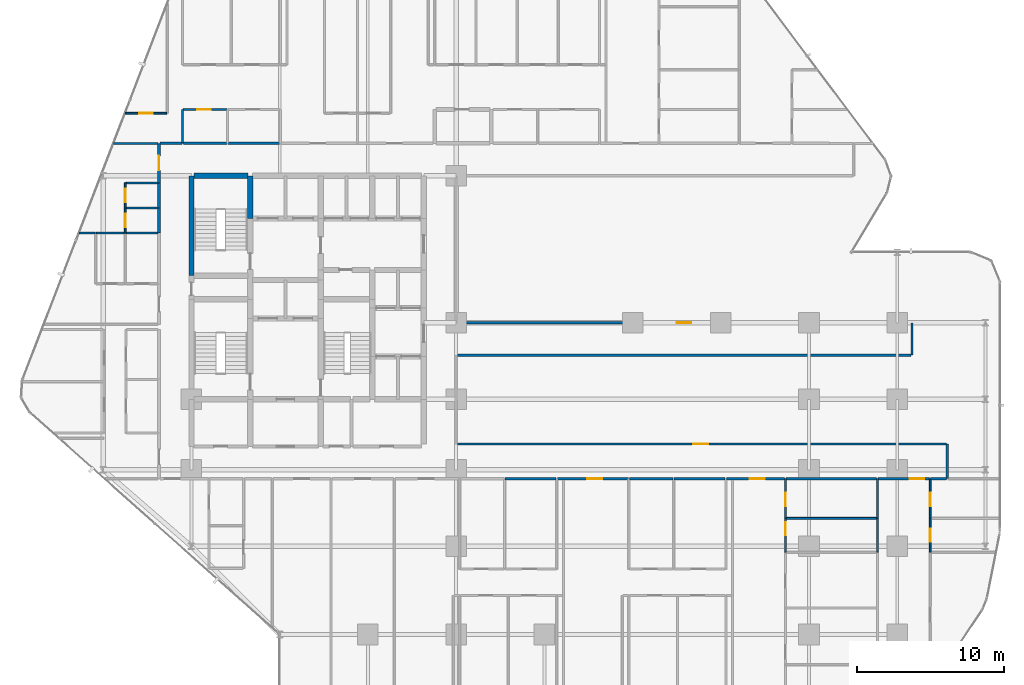
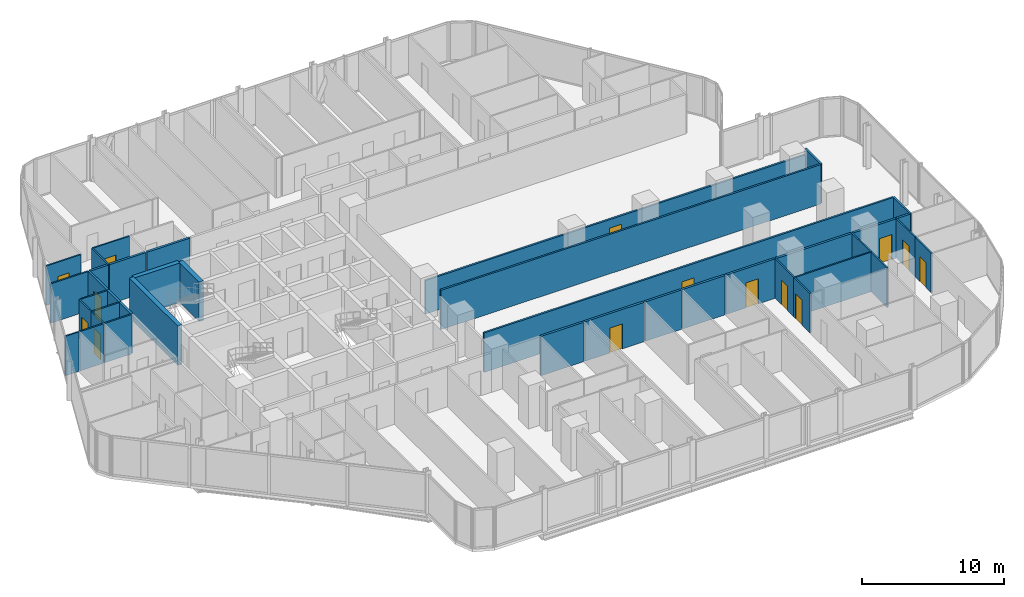
# One storey, part 29 of 34: 40 walls, 14 doors, 14 openings.
"""IFC4 building model written with IfcOpenShell, lengths in metres."""

from ifc_helpers import new_model, si_unit, direction, frame, frame_2d, origin, place, context, subcontext, project, spatial, rectangle, extrude, material, layer, layer_set, type_object, element, fill, save


model = new_model("IFC4")

# Units and contexts
model_context = context("Model", 3, precision=1e-05, world=origin(), true_north=direction((0.0, 1.0)))
body_context = subcontext(model_context, "Body", "Model", "MODEL_VIEW")
ifc_project = project(units=[si_unit("LENGTHUNIT", "METRE"), si_unit("AREAUNIT", "SQUARE_METRE"), si_unit("VOLUMEUNIT", "CUBIC_METRE"), si_unit("PLANEANGLEUNIT", "RADIAN"), si_unit("MASSUNIT", "GRAM", prefix="KILO")], contexts=[model_context])

# Site, building, storey
site_placement = place(None, origin())
site = spatial("IfcSite", under=ifc_project, at=site_placement, CompositionType="ELEMENT")
building_placement = place(site_placement, origin())
building = spatial("IfcBuilding", under=site, at=building_placement, Name="Keshet Zoharim Tower", CompositionType="ELEMENT")
storey_placement = place(building_placement, frame((0.0, 0.0, 46.199951171875)))
storey = spatial("IfcBuildingStorey", under=building, at=storey_placement, Name="L10", CompositionType="ELEMENT", Elevation=46.199951171875)

# Walls
ifc_material_1 = material(Name="Gypsum Plasterboard", Category="gypsum")
ifc_layer_1 = layer(ifc_material_1, 0.14990234375)
ifc_layer_set_1 = layer_set([ifc_layer_1], Name="Gypsum Plasterboard")
wall_type_1 = type_object("IfcWallType", Name="WL-CLIN-150", PredefinedType="STANDARD", material=ifc_layer_set_1)
wall_1_placement = place(storey_placement, frame((64.0, 25.699951171875, 0.0), z_axis=(0.0, 0.0, 1.0), x_axis=(0.0, 1.0, 0.0)))
element("IfcWall", 1, at=wall_1_placement, inside=storey, type_object=wall_type_1, Name="L10 Interior Wall 113", PredefinedType="STANDARD", context=body_context, shape_type="SweptSolid", body=[
    extrude(rectangle(XDim=2.199951171875, YDim=0.14990234375, at=frame_2d((1.10009765625, 0.0))), origin(), (0.0, 0.0, 1.0), 3.385009765625),
])
wall_2_placement = place(storey_placement, frame((66.39990234375, 17.31005859375, 0.0), z_axis=(0.0, 0.0, 1.0), x_axis=(0.0, 1.0, 0.0)))
element("IfcWall", 2, at=wall_2_placement, inside=storey, type_object=wall_type_1, Name="L10 Interior Wall 117", PredefinedType="STANDARD", context=body_context, shape_type="SweptSolid", body=[
    extrude(rectangle(XDim=2.33984375, YDim=0.14990234375, at=frame_2d((1.169921875, 0.0))), origin(), (0.0, 0.0, 1.0), 3.385009765625),
])

# Wall, opening, door
wall_3_placement = place(storey_placement, frame((33.070068359375, 19.64990234375, 0.0), z_axis=(0.0, 0.0, 1.0), x_axis=(1.0, 0.0, 0.0)))
wall_3 = element("IfcWall", 3, at=wall_3_placement, inside=storey, type_object=wall_type_1, Name="L10 Interior Wall 157", PredefinedType="STANDARD", context=body_context, shape_type="SweptSolid", body=[
    extrude(rectangle(XDim=33.27001953125, YDim=0.14990234375, at=frame_2d((16.635009765625, 0.0))), origin(), (0.0, 0.0, 1.0), 3.385009765625),
])
opening_1_placement = place(wall_3_placement, frame((16.06494140625, 0.0, 0.0)))
opening_1 = element("IfcOpeningElement", 4, at=opening_1_placement, cuts=wall_3, Name="Opening D-F310", PredefinedType="OPENING", context=body_context, shape_type="SweptSolid", body=[
    extrude(rectangle(XDim=1.0, YDim=2.14990234375, at=frame_2d((0.5, 1.074951171875))), frame((0.0, 0.0849609375, 0.0), z_axis=(0.0, -1.0, 0.0), x_axis=(1.0, 0.0, 0.0)), (0.0, 0.0, 1.0), 0.169921875),
])
ifc_material_2 = material(Name="Hardwood Timber", Category="wood")
door_type_1 = type_object("IfcDoorType", Name="DR-FD30-100", OperationType="NOTDEFINED", PredefinedType="DOOR", material=ifc_material_2)
door_1_placement = place(opening_1_placement, origin())
door_1 = element("IfcDoor", 5, at=door_1_placement, inside=storey, type_object=door_type_1, Name="L10 North East Residents Services Suite Door 1", OperationType="SINGLE_SWING_LEFT", OverallHeight=2.14990234375, OverallWidth=1.0, PredefinedType="DOOR", context=body_context, shape_type="SweptSolid", body=[
    extrude(rectangle(XDim=1.0, YDim=2.14990234375, at=frame_2d((0.5, 1.074951171875))), frame((0.0, 0.02490234375, 0.0), z_axis=(0.0, -1.0, 0.0), x_axis=(1.0, 0.0, 0.0)), (0.0, 0.0, 1.0), 0.050048828125),
])
fill(opening_1, door_1)

# Wall
wall_4_placement = place(storey_placement, frame((33.070068359375, 25.699951171875, 0.0), z_axis=(0.0, 0.0, 1.0), x_axis=(1.0, 0.0, 0.0)))
element("IfcWall", 6, at=wall_4_placement, inside=storey, type_object=wall_type_1, Name="L10 Interior Wall 169", PredefinedType="STANDARD", context=body_context, shape_type="SweptSolid", body=[
    extrude(rectangle(XDim=30.869873046875, YDim=0.14990234375, at=frame_2d((15.43505859375, 0.0))), origin(), (0.0, 0.0, 1.0), 3.385009765625),
])

# Wall, opening, door
wall_5_placement = place(storey_placement, frame((33.070068359375, 27.89990234375, 0.0), z_axis=(0.0, 0.0, 1.0), x_axis=(1.0, 0.0, 0.0)))
wall_5 = element("IfcWall", 7, at=wall_5_placement, inside=storey, type_object=wall_type_1, Name="L10 Interior Wall 174", PredefinedType="STANDARD", context=body_context, shape_type="SweptSolid", body=[
    extrude(rectangle(XDim=30.869873046875, YDim=0.14990234375, at=frame_2d((15.43505859375, 0.0))), origin(), (0.0, 0.0, 1.0), 2.885009765625),
])
opening_2_placement = place(wall_5_placement, frame((14.93505859375, 0.0, 0.0)))
opening_2 = element("IfcOpeningElement", 8, at=opening_2_placement, cuts=wall_5, Name="Opening D-F310", PredefinedType="OPENING", context=body_context, shape_type="SweptSolid", body=[
    extrude(rectangle(XDim=1.0, YDim=2.14990234375, at=frame_2d((0.5, 1.074951171875))), frame((0.0, 0.0849609375, 0.0), z_axis=(0.0, -1.0, 0.0), x_axis=(1.0, 0.0, 0.0)), (0.0, 0.0, 1.0), 0.169921875),
])
door_2_placement = place(opening_2_placement, origin())
door_2 = element("IfcDoor", 9, at=door_2_placement, inside=storey, type_object=door_type_1, Name="L10 North East Residents Services Suite Door 2", OperationType="SINGLE_SWING_LEFT", OverallHeight=2.14990234375, OverallWidth=1.0, PredefinedType="DOOR", context=body_context, shape_type="SweptSolid", body=[
    extrude(rectangle(XDim=1.0, YDim=2.14990234375, at=frame_2d((0.5, 1.074951171875))), frame((0.0, 0.02490234375, 0.0), z_axis=(0.0, -1.0, 0.0), x_axis=(1.0, 0.0, 0.0)), (0.0, 0.0, 1.0), 0.050048828125),
])
fill(opening_2, door_2)

# Walls
ifc_material_3 = material(Name="Concrete C60/75", Category="concrete")
ifc_layer_2 = layer(ifc_material_3, 0.35009765625)
ifc_layer_set_2 = layer_set([ifc_layer_2], Name="Concrete C60/75")
wall_type_2 = type_object("IfcWallType", Name="WL-CORE-350", PredefinedType="SHEAR", material=ifc_layer_set_2)
wall_6_placement = place(storey_placement, frame((15.0, 31.10009765625, 0.0), z_axis=(0.0, 0.0, 1.0), x_axis=(0.0, 1.0, 0.0)))
element("IfcWall", 10, at=wall_6_placement, inside=storey, type_object=wall_type_2, Name="L10 Core Shear Wall 022", PredefinedType="SHEAR", context=body_context, shape_type="SweptSolid", body=[
    extrude(rectangle(XDim=6.7998046875, YDim=0.35009765625, at=frame_2d((3.39990234375, 0.0))), origin(), (0.0, 0.0, 1.0), 3.385009765625),
])
wall_7_placement = place(storey_placement, frame((19.0, 35.0, 0.0), z_axis=(0.0, 0.0, 1.0), x_axis=(0.0, 1.0, 0.0)))
element("IfcWall", 11, at=wall_7_placement, inside=storey, type_object=wall_type_2, Name="L10 Core Shear Wall 033", PredefinedType="SHEAR", context=body_context, shape_type="SweptSolid", body=[
    extrude(rectangle(XDim=2.89990234375, YDim=0.35009765625, at=frame_2d((1.449951171875, 0.0))), origin(), (0.0, 0.0, 1.0), 3.385009765625),
])
wall_8_placement = place(storey_placement, frame((15.159912109375, 37.89990234375, 0.0), z_axis=(0.0, 0.0, 1.0), x_axis=(1.0, 0.0, 0.0)))
element("IfcWall", 12, at=wall_8_placement, inside=storey, type_object=wall_type_2, Name="L10 Core Shear Wall 191", PredefinedType="SHEAR", context=body_context, shape_type="SweptSolid", body=[
    extrude(rectangle(XDim=3.68017578125, YDim=0.35009765625, at=frame_2d((1.840087890625, 0.0))), origin(), (0.0, 0.0, 1.0), 3.385009765625),
])
ifc_layer_3 = layer(ifc_material_1, 0.179931640625)
ifc_layer_set_3 = layer_set([ifc_layer_3], Name="Gypsum Plasterboard")
wall_type_3 = type_object("IfcWallType", Name="WL-CORR-180", PredefinedType="STANDARD", material=ifc_layer_set_3)
for number, where, z_axis, x_axis, name in (
    (13, (12.800048828125, 34.0, 0.0), (0.0, 0.0, 1.0), (0.0, 1.0, 0.0), "L10 Interior Wall 013"),
    (14, (12.800048828125, 35.7080078125, 0.0), (0.0, 0.0, 1.0), (0.0, 1.0, 0.0), "L10 Interior Wall 014"),
):
    element("IfcWall", number, at=place(storey_placement, frame(where, z_axis=z_axis, x_axis=x_axis)), inside=storey, type_object=wall_type_3, Name=name, PredefinedType="STANDARD", context=body_context, shape_type="SweptSolid", body=[
        extrude(rectangle(XDim=1.7080078125, YDim=0.179931640625, at=frame_2d((0.85400390625, 0.0))), origin(), (0.0, 0.0, 1.0), 3.385009765625),
    ])

# Wall, opening, door
wall_9_placement = place(storey_placement, frame((12.800048828125, 37.416015625, 0.0), z_axis=(0.0, 0.0, 1.0), x_axis=(0.0, 1.0, 0.0)))
wall_9 = element("IfcWall", 15, at=wall_9_placement, inside=storey, type_object=wall_type_3, Name="L10 Interior Wall 015", PredefinedType="STANDARD", context=body_context, shape_type="SweptSolid", body=[
    extrude(rectangle(XDim=2.68408203125, YDim=0.179931640625, at=frame_2d((1.342041015625, 0.0))), origin(), (0.0, 0.0, 1.0), 3.385009765625),
])
opening_3_placement = place(wall_9_placement, frame((0.842041015625, 0.0, 0.0)))
opening_3 = element("IfcOpeningElement", 16, at=opening_3_placement, cuts=wall_9, Name="Opening D-F310", PredefinedType="OPENING", context=body_context, shape_type="SweptSolid", body=[
    extrude(rectangle(XDim=1.0, YDim=2.14990234375, at=frame_2d((0.5, 1.074951171875))), frame((0.0, 0.10009765625, 0.0), z_axis=(0.0, -1.0, 0.0), x_axis=(1.0, 0.0, 0.0)), (0.0, 0.0, 1.0), 0.199951171875),
])
door_3_placement = place(opening_3_placement, origin())
door_3 = element("IfcDoor", 17, at=door_3_placement, inside=storey, type_object=door_type_1, Name="Apartment 1012 Entrance Door", OperationType="SINGLE_SWING_RIGHT", OverallHeight=2.14990234375, OverallWidth=1.0, PredefinedType="DOOR", context=body_context, shape_type="SweptSolid", body=[
    extrude(rectangle(XDim=1.0, YDim=2.14990234375, at=frame_2d((0.5, 1.074951171875))), frame((0.0, 0.02490234375, 0.0), z_axis=(0.0, -1.0, 0.0), x_axis=(1.0, 0.0, 0.0)), (0.0, 0.0, 1.0), 0.050048828125),
])
fill(opening_3, door_3)

# Wall
wall_10_placement = place(storey_placement, frame((36.3369140625, 17.300048828125, 0.0), z_axis=(0.0, 0.0, 1.0), x_axis=(1.0, 0.0, 0.0)))
element("IfcWall", 18, at=wall_10_placement, inside=storey, type_object=wall_type_3, Name="L10 Interior Wall 144", PredefinedType="STANDARD", context=body_context, shape_type="SweptSolid", body=[
    extrude(rectangle(XDim=3.4580078125, YDim=0.179931640625, at=frame_2d((1.72900390625, 0.0))), origin(), (0.0, 0.0, 1.0), 3.385009765625),
])

# Wall, opening, door
wall_11_placement = place(storey_placement, frame((39.885009765625, 17.300048828125, 0.0), z_axis=(0.0, 0.0, 1.0), x_axis=(1.0, 0.0, 0.0)))
wall_11 = element("IfcWall", 19, at=wall_11_placement, inside=storey, type_object=wall_type_3, Name="L10 Interior Wall 145", PredefinedType="STANDARD", context=body_context, shape_type="SweptSolid", body=[
    extrude(rectangle(XDim=4.830078125, YDim=0.179931640625, at=frame_2d((2.4150390625, 0.0))), origin(), (0.0, 0.0, 1.0), 3.385009765625),
])
opening_4_placement = place(wall_11_placement, frame((2.04296875, 0.0, 0.0)))
opening_4 = element("IfcOpeningElement", 20, at=opening_4_placement, cuts=wall_11, Name="Opening D-F310", PredefinedType="OPENING", context=body_context, shape_type="SweptSolid", body=[
    extrude(rectangle(XDim=1.0, YDim=2.14990234375, at=frame_2d((0.5, 1.074951171875))), frame((0.0, 0.10009765625, 0.0), z_axis=(0.0, -1.0, 0.0), x_axis=(1.0, 0.0, 0.0)), (0.0, 0.0, 1.0), 0.199951171875),
])
door_4_placement = place(opening_4_placement, origin())
door_4 = element("IfcDoor", 21, at=door_4_placement, inside=storey, type_object=door_type_1, Name="Apartment 1003 Entrance Door", OperationType="SINGLE_SWING_RIGHT", OverallHeight=2.14990234375, OverallWidth=1.0, PredefinedType="DOOR", context=body_context, shape_type="SweptSolid", body=[
    extrude(rectangle(XDim=1.0, YDim=2.14990234375, at=frame_2d((0.5, 1.074951171875))), frame((0.0, 0.02490234375, 0.0), z_axis=(0.0, -1.0, 0.0), x_axis=(1.0, 0.0, 0.0)), (0.0, 0.0, 1.0), 0.050048828125),
])
fill(opening_4, door_4)

# Walls
wall_12_placement = place(storey_placement, frame((44.804931640625, 17.300048828125, 0.0), z_axis=(0.0, 0.0, 1.0), x_axis=(1.0, 0.0, 0.0)))
element("IfcWall", 22, at=wall_12_placement, inside=storey, type_object=wall_type_3, Name="L10 Interior Wall 146", PredefinedType="STANDARD", context=body_context, shape_type="SweptSolid", body=[
    extrude(rectangle(XDim=2.93212890625, YDim=0.179931640625, at=frame_2d((1.466064453125, 0.0))), origin(), (0.0, 0.0, 1.0), 3.385009765625),
])
wall_13_placement = place(storey_placement, frame((47.826904296875, 17.300048828125, 0.0), z_axis=(0.0, 0.0, 1.0), x_axis=(1.0, 0.0, 0.0)))
element("IfcWall", 23, at=wall_13_placement, inside=storey, type_object=wall_type_3, Name="L10 Interior Wall 147", PredefinedType="STANDARD", context=body_context, shape_type="SweptSolid", body=[
    extrude(rectangle(XDim=3.4580078125, YDim=0.179931640625, at=frame_2d((1.72900390625, 0.0))), origin(), (0.0, 0.0, 1.0), 3.385009765625),
])

# Wall, opening, door
wall_14_placement = place(storey_placement, frame((51.375, 17.300048828125, 0.0), z_axis=(0.0, 0.0, 1.0), x_axis=(1.0, 0.0, 0.0)))
wall_14 = element("IfcWall", 24, at=wall_14_placement, inside=storey, type_object=wall_type_3, Name="L10 Interior Wall 148", PredefinedType="STANDARD", context=body_context, shape_type="SweptSolid", body=[
    extrude(rectangle(XDim=3.9599609375, YDim=0.179931640625, at=frame_2d((1.97998046875, 0.0))), origin(), (0.0, 0.0, 1.0), 3.385009765625),
])
opening_5_placement = place(wall_14_placement, frame((1.60888671875, 0.0, 0.0)))
opening_5 = element("IfcOpeningElement", 25, at=opening_5_placement, cuts=wall_14, Name="Opening D-F310", PredefinedType="OPENING", context=body_context, shape_type="SweptSolid", body=[
    extrude(rectangle(XDim=1.0, YDim=2.14990234375, at=frame_2d((0.5, 1.074951171875))), frame((0.0, 0.10009765625, 0.0), z_axis=(0.0, -1.0, 0.0), x_axis=(1.0, 0.0, 0.0)), (0.0, 0.0, 1.0), 0.199951171875),
])
door_5_placement = place(opening_5_placement, origin())
door_5 = element("IfcDoor", 26, at=door_5_placement, inside=storey, type_object=door_type_1, Name="Apartment 1004 Entrance Door", OperationType="SINGLE_SWING_LEFT", OverallHeight=2.14990234375, OverallWidth=1.0, PredefinedType="DOOR", context=body_context, shape_type="SweptSolid", body=[
    extrude(rectangle(XDim=1.0, YDim=2.14990234375, at=frame_2d((0.5, 1.074951171875))), frame((0.0, 0.02490234375, 0.0), z_axis=(0.0, -1.0, 0.0), x_axis=(1.0, 0.0, 0.0)), (0.0, 0.0, 1.0), 0.050048828125),
])
fill(opening_5, door_5)

# Wall
wall_15_placement = place(storey_placement, frame((55.425048828125, 17.300048828125, 0.0), z_axis=(0.0, 0.0, 1.0), x_axis=(1.0, 0.0, 0.0)))
element("IfcWall", 27, at=wall_15_placement, inside=storey, type_object=wall_type_3, Name="L10 Interior Wall 149", PredefinedType="STANDARD", context=body_context, shape_type="SweptSolid", body=[
    extrude(rectangle(XDim=6.159912109375, YDim=0.179931640625, at=frame_2d((3.080078125, 0.0))), origin(), (0.0, 0.0, 1.0), 3.385009765625),
])

# Wall, opening, door
wall_16_placement = place(storey_placement, frame((61.675048828125, 17.300048828125, 0.0), z_axis=(0.0, 0.0, 1.0), x_axis=(1.0, 0.0, 0.0)))
wall_16 = element("IfcWall", 28, at=wall_16_placement, inside=storey, type_object=wall_type_3, Name="L10 Interior Wall 150", PredefinedType="STANDARD", context=body_context, shape_type="SweptSolid", body=[
    extrude(rectangle(XDim=3.510009765625, YDim=0.179931640625, at=frame_2d((1.7548828125, 0.0))), origin(), (0.0, 0.0, 1.0), 3.385009765625),
])
opening_6_placement = place(wall_16_placement, frame((2.1650390625, 0.0, 0.0)))
opening_6 = element("IfcOpeningElement", 29, at=opening_6_placement, cuts=wall_16, Name="Opening D-F310", PredefinedType="OPENING", context=body_context, shape_type="SweptSolid", body=[
    extrude(rectangle(XDim=1.0, YDim=2.14990234375, at=frame_2d((0.5, 1.074951171875))), frame((0.0, 0.10009765625, 0.0), z_axis=(0.0, -1.0, 0.0), x_axis=(1.0, 0.0, 0.0)), (0.0, 0.0, 1.0), 0.199951171875),
])
door_6_placement = place(opening_6_placement, origin())
door_6 = element("IfcDoor", 30, at=door_6_placement, inside=storey, type_object=door_type_1, Name="Apartment 1005 Entrance Door", OperationType="SINGLE_SWING_RIGHT", OverallHeight=2.14990234375, OverallWidth=1.0, PredefinedType="DOOR", context=body_context, shape_type="SweptSolid", body=[
    extrude(rectangle(XDim=1.0, YDim=2.14990234375, at=frame_2d((0.5, 1.074951171875))), frame((0.0, 0.02490234375, 0.0), z_axis=(0.0, -1.0, 0.0), x_axis=(1.0, 0.0, 0.0)), (0.0, 0.0, 1.0), 0.050048828125),
])
fill(opening_6, door_6)

# Walls
wall_17_placement = place(storey_placement, frame((65.27490234375, 17.300048828125, 0.0), z_axis=(0.0, 0.0, 1.0), x_axis=(1.0, 0.0, 0.0)))
element("IfcWall", 31, at=wall_17_placement, inside=storey, type_object=wall_type_3, Name="L10 Interior Wall 151", PredefinedType="STANDARD", context=body_context, shape_type="SweptSolid", body=[
    extrude(rectangle(XDim=1.065185546875, YDim=0.179931640625, at=frame_2d((0.53271484375, 0.0))), origin(), (0.0, 0.0, 1.0), 3.385009765625),
])
wall_18_placement = place(storey_placement, frame((12.875, 40.10009765625, 0.0), z_axis=(0.0, 0.0, 1.0), x_axis=(1.0, 0.0, 0.0)))
element("IfcWall", 32, at=wall_18_placement, inside=storey, type_object=wall_type_3, Name="L10 Interior Wall 195", PredefinedType="STANDARD", context=body_context, shape_type="SweptSolid", body=[
    extrude(rectangle(XDim=1.47998046875, YDim=0.179931640625, at=frame_2d((0.739990234375, 0.0))), origin(), (0.0, 0.0, 1.0), 3.385009765625),
])
wall_19_placement = place(storey_placement, frame((14.445068359375, 40.10009765625, 0.0), z_axis=(0.0, 0.0, 1.0), x_axis=(1.0, 0.0, 0.0)))
element("IfcWall", 33, at=wall_19_placement, inside=storey, type_object=wall_type_3, Name="L10 Interior Wall 196", PredefinedType="STANDARD", context=body_context, shape_type="SweptSolid", body=[
    extrude(rectangle(XDim=2.9599609375, YDim=0.179931640625, at=frame_2d((1.47998046875, 0.0))), origin(), (0.0, 0.0, 1.0), 3.385009765625),
])
wall_20_placement = place(storey_placement, frame((17.4951171875, 40.10009765625, 0.0), z_axis=(0.0, 0.0, 1.0), x_axis=(1.0, 0.0, 0.0)))
element("IfcWall", 34, at=wall_20_placement, inside=storey, type_object=wall_type_3, Name="L10 Interior Wall 197", PredefinedType="STANDARD", context=body_context, shape_type="SweptSolid", body=[
    extrude(rectangle(XDim=3.489990234375, YDim=0.179931640625, at=frame_2d((1.7451171875, 0.0))), origin(), (0.0, 0.0, 1.0), 3.385009765625),
])

# Wall, opening, door
ifc_layer_4 = layer(ifc_material_1, 0.1201171875)
ifc_layer_set_4 = layer_set([ifc_layer_4], Name="Gypsum Plasterboard")
wall_type_4 = type_object("IfcWallType", Name="WL-PART-120", PredefinedType="PARTITIONING", material=ifc_layer_set_4)
wall_21_placement = place(storey_placement, frame((10.5, 34.0, 0.0), z_axis=(0.0, 0.0, 1.0), x_axis=(0.0, 1.0, 0.0)))
wall_21 = element("IfcWall", 35, at=wall_21_placement, inside=storey, type_object=wall_type_4, Name="L10 Interior Wall 004", PredefinedType="PARTITIONING", context=body_context, shape_type="SweptSolid", body=[
    extrude(rectangle(XDim=1.7080078125, YDim=0.1201171875, at=frame_2d((0.85400390625, 0.0))), origin(), (0.0, 0.0, 1.0), 3.385009765625),
])
opening_7_placement = place(wall_21_placement, frame((0.404052734375, 0.0, 0.0)))
opening_7 = element("IfcOpeningElement", 36, at=opening_7_placement, cuts=wall_21, Name="Opening D-IN90", PredefinedType="OPENING", context=body_context, shape_type="SweptSolid", body=[
    extrude(rectangle(XDim=0.89990234375, YDim=2.14990234375, at=frame_2d((0.449951171875, 1.074951171875))), frame((0.0, 0.070068359375, 0.0), z_axis=(0.0, -1.0, 0.0), x_axis=(1.0, 0.0, 0.0)), (0.0, 0.0, 1.0), 0.14013671875),
])
door_type_2 = type_object("IfcDoorType", Name="DR-INT-090", OperationType="NOTDEFINED", PredefinedType="DOOR", material=ifc_material_2)
door_7_placement = place(opening_7_placement, origin())
door_7 = element("IfcDoor", 37, at=door_7_placement, inside=storey, type_object=door_type_2, Name="Apartment 1012 Kitchenette Door", OperationType="SINGLE_SWING_RIGHT", OverallHeight=2.14990234375, OverallWidth=0.89990234375, PredefinedType="DOOR", context=body_context, shape_type="SweptSolid", body=[
    extrude(rectangle(XDim=0.89990234375, YDim=2.14990234375, at=frame_2d((0.449951171875, 1.074951171875))), frame((0.0, 0.02490234375, 0.0), z_axis=(0.0, -1.0, 0.0), x_axis=(1.0, 0.0, 0.0)), (0.0, 0.0, 1.0), 0.050048828125),
])
fill(opening_7, door_7)

# Wall
wall_22_placement = place(storey_placement, frame((14.39990234375, 40.10009765625, 0.0), z_axis=(0.0, 0.0, 1.0), x_axis=(0.0, 1.0, 0.0)))
element("IfcWall", 38, at=wall_22_placement, inside=storey, type_object=wall_type_4, Name="L10 Interior Wall 017", PredefinedType="PARTITIONING", context=body_context, shape_type="SweptSolid", body=[
    extrude(rectangle(XDim=2.2998046875, YDim=0.1201171875, at=frame_2d((1.14990234375, 0.0))), origin(), (0.0, 0.0, 1.0), 3.385009765625),
])

# Wall, opening, door
wall_23_placement = place(storey_placement, frame((55.39990234375, 12.300048828125, 0.0), z_axis=(0.0, 0.0, 1.0), x_axis=(0.0, 1.0, 0.0)))
wall_23 = element("IfcWall", 39, at=wall_23_placement, inside=storey, type_object=wall_type_4, Name="L10 Interior Wall 105", PredefinedType="PARTITIONING", context=body_context, shape_type="SweptSolid", body=[
    extrude(rectangle(XDim=2.300048828125, YDim=0.1201171875, at=frame_2d((1.14990234375, 0.0))), origin(), (0.0, 0.0, 1.0), 3.385009765625),
])
opening_8_placement = place(wall_23_placement, frame((1.14208984375, 0.0, 0.0)))
opening_8 = element("IfcOpeningElement", 40, at=opening_8_placement, cuts=wall_23, Name="Opening D-IN90", PredefinedType="OPENING", context=body_context, shape_type="SweptSolid", body=[
    extrude(rectangle(XDim=0.89990234375, YDim=2.14990234375, at=frame_2d((0.449951171875, 1.074951171875))), frame((0.0, 0.070068359375, 0.0), z_axis=(0.0, -1.0, 0.0), x_axis=(1.0, 0.0, 0.0)), (0.0, 0.0, 1.0), 0.14013671875),
])
door_8_placement = place(opening_8_placement, origin())
door_8 = element("IfcDoor", 41, at=door_8_placement, inside=storey, type_object=door_type_2, Name="Apartment 1004 Kitchen Door", OperationType="SINGLE_SWING_LEFT", OverallHeight=2.14990234375, OverallWidth=0.89990234375, PredefinedType="DOOR", context=body_context, shape_type="SweptSolid", body=[
    extrude(rectangle(XDim=0.89990234375, YDim=2.14990234375, at=frame_2d((0.449951171875, 1.074951171875))), frame((0.0, 0.02490234375, 0.0), z_axis=(0.0, -1.0, 0.0), x_axis=(1.0, 0.0, 0.0)), (0.0, 0.0, 1.0), 0.050048828125),
])
fill(opening_8, door_8)

# Wall
wall_24_placement = place(storey_placement, frame((61.64990234375, 12.300048828125, 0.0), z_axis=(0.0, 0.0, 1.0), x_axis=(0.0, 1.0, 0.0)))
element("IfcWall", 42, at=wall_24_placement, inside=storey, type_object=wall_type_4, Name="L10 Interior Wall 111", PredefinedType="PARTITIONING", context=body_context, shape_type="SweptSolid", body=[
    extrude(rectangle(XDim=2.300048828125, YDim=0.1201171875, at=frame_2d((1.14990234375, 0.0))), origin(), (0.0, 0.0, 1.0), 3.385009765625),
])

# Wall, opening, door
wall_25_placement = place(storey_placement, frame((65.25, 12.300048828125, 0.0), z_axis=(0.0, 0.0, 1.0), x_axis=(0.0, 1.0, 0.0)))
wall_25 = element("IfcWall", 43, at=wall_25_placement, inside=storey, type_object=wall_type_4, Name="L10 Interior Wall 115", PredefinedType="PARTITIONING", context=body_context, shape_type="SweptSolid", body=[
    extrude(rectangle(XDim=2.300048828125, YDim=0.1201171875, at=frame_2d((1.14990234375, 0.0))), origin(), (0.0, 0.0, 1.0), 3.385009765625),
])
opening_9_placement = place(wall_25_placement, frame((0.699951171875, 0.0, 0.0)))
opening_9 = element("IfcOpeningElement", 44, at=opening_9_placement, cuts=wall_25, Name="Opening D-IN90", PredefinedType="OPENING", context=body_context, shape_type="SweptSolid", body=[
    extrude(rectangle(XDim=0.89990234375, YDim=2.14990234375, at=frame_2d((0.449951171875, 1.074951171875))), frame((0.0, 0.070068359375, 0.0), z_axis=(0.0, -1.0, 0.0), x_axis=(1.0, 0.0, 0.0)), (0.0, 0.0, 1.0), 0.14013671875),
])
door_9_placement = place(opening_9_placement, origin())
door_9 = element("IfcDoor", 45, at=door_9_placement, inside=storey, type_object=door_type_2, Name="Apartment 1005 Kitchen Door", OperationType="SINGLE_SWING_RIGHT", OverallHeight=2.14990234375, OverallWidth=0.89990234375, PredefinedType="DOOR", context=body_context, shape_type="SweptSolid", body=[
    extrude(rectangle(XDim=0.89990234375, YDim=2.14990234375, at=frame_2d((0.449951171875, 1.074951171875))), frame((0.0, 0.02490234375, 0.0), z_axis=(0.0, -1.0, 0.0), x_axis=(1.0, 0.0, 0.0)), (0.0, 0.0, 1.0), 0.050048828125),
])
fill(opening_9, door_9)

# Walls
wall_26_placement = place(storey_placement, frame((7.35595703125, 34.0, 0.0), z_axis=(0.0, 0.0, 1.0), x_axis=(1.0, 0.0, 0.0)))
element("IfcWall", 46, at=wall_26_placement, inside=storey, type_object=wall_type_4, Name="L10 Interior Wall 185", PredefinedType="PARTITIONING", context=body_context, shape_type="SweptSolid", body=[
    extrude(rectangle(XDim=1.09912109375, YDim=0.1201171875, at=frame_2d((0.549560546875, 0.0))), origin(), (0.0, 0.0, 1.0), 3.385009765625),
])
wall_27_placement = place(storey_placement, frame((8.544921875, 34.0, 0.0), z_axis=(0.0, 0.0, 1.0), x_axis=(1.0, 0.0, 0.0)))
element("IfcWall", 47, at=wall_27_placement, inside=storey, type_object=wall_type_4, Name="L10 Interior Wall 186", PredefinedType="PARTITIONING", context=body_context, shape_type="SweptSolid", body=[
    extrude(rectangle(XDim=1.88818359375, YDim=0.1201171875, at=frame_2d((0.944091796875, 0.0))), origin(), (0.0, 0.0, 1.0), 3.385009765625),
])
wall_28_placement = place(storey_placement, frame((9.701904296875, 40.10009765625, 0.0), z_axis=(0.0, 0.0, 1.0), x_axis=(1.0, 0.0, 0.0)))
element("IfcWall", 48, at=wall_28_placement, inside=storey, type_object=wall_type_4, Name="L10 Interior Wall 194", PredefinedType="PARTITIONING", context=body_context, shape_type="SweptSolid", body=[
    extrude(rectangle(XDim=3.023193359375, YDim=0.1201171875, at=frame_2d((1.51171875, 0.0))), origin(), (0.0, 0.0, 1.0), 3.385009765625),
])

# Wall, opening, door
wall_29_placement = place(storey_placement, frame((10.490966796875, 42.14990234375, 0.0), z_axis=(0.0, 0.0, 1.0), x_axis=(1.0, 0.0, 0.0)))
wall_29 = element("IfcWall", 49, at=wall_29_placement, inside=storey, type_object=wall_type_4, Name="L10 Interior Wall 208", PredefinedType="PARTITIONING", context=body_context, shape_type="SweptSolid", body=[
    extrude(rectangle(XDim=2.828125, YDim=0.1201171875, at=frame_2d((1.4140625, 0.0))), origin(), (0.0, 0.0, 1.0), 3.385009765625),
])
opening_10_placement = place(wall_29_placement, frame((0.962890625, 0.0, 0.0)))
opening_10 = element("IfcOpeningElement", 50, at=opening_10_placement, cuts=wall_29, Name="Opening D-IN90", PredefinedType="OPENING", context=body_context, shape_type="SweptSolid", body=[
    extrude(rectangle(XDim=0.89990234375, YDim=2.14990234375, at=frame_2d((0.449951171875, 1.074951171875))), frame((0.0, 0.070068359375, 0.0), z_axis=(0.0, -1.0, 0.0), x_axis=(1.0, 0.0, 0.0)), (0.0, 0.0, 1.0), 0.14013671875),
])
door_10_placement = place(opening_10_placement, origin())
door_10 = element("IfcDoor", 51, at=door_10_placement, inside=storey, type_object=door_type_2, Name="Apartment 1006 Home Study Room Door", OperationType="SINGLE_SWING_LEFT", OverallHeight=2.14990234375, OverallWidth=0.89990234375, PredefinedType="DOOR", context=body_context, shape_type="SweptSolid", body=[
    extrude(rectangle(XDim=0.89990234375, YDim=2.14990234375, at=frame_2d((0.449951171875, 1.074951171875))), frame((0.0, 0.02490234375, 0.0), z_axis=(0.0, -1.0, 0.0), x_axis=(1.0, 0.0, 0.0)), (0.0, 0.0, 1.0), 0.050048828125),
])
fill(opening_10, door_10)

wall_30_placement = place(storey_placement, frame((14.445068359375, 42.39990234375, 0.0), z_axis=(0.0, 0.0, 1.0), x_axis=(1.0, 0.0, 0.0)))
wall_30 = element("IfcWall", 52, at=wall_30_placement, inside=storey, type_object=wall_type_4, Name="L10 Interior Wall 210", PredefinedType="PARTITIONING", context=body_context, shape_type="SweptSolid", body=[
    extrude(rectangle(XDim=2.9599609375, YDim=0.1201171875, at=frame_2d((1.47998046875, 0.0))), origin(), (0.0, 0.0, 1.0), 3.385009765625),
])
opening_11_placement = place(wall_30_placement, frame((0.9560546875, 0.0, 0.0)))
opening_11 = element("IfcOpeningElement", 53, at=opening_11_placement, cuts=wall_30, Name="Opening D-IN90", PredefinedType="OPENING", context=body_context, shape_type="SweptSolid", body=[
    extrude(rectangle(XDim=0.89990234375, YDim=2.14990234375, at=frame_2d((0.449951171875, 1.074951171875))), frame((0.0, 0.070068359375, 0.0), z_axis=(0.0, -1.0, 0.0), x_axis=(1.0, 0.0, 0.0)), (0.0, 0.0, 1.0), 0.14013671875),
])
door_11_placement = place(opening_11_placement, origin())
door_11 = element("IfcDoor", 54, at=door_11_placement, inside=storey, type_object=door_type_2, Name="Apartment 1006 Kitchen Door", OperationType="SINGLE_SWING_RIGHT", OverallHeight=2.14990234375, OverallWidth=0.89990234375, PredefinedType="DOOR", context=body_context, shape_type="SweptSolid", body=[
    extrude(rectangle(XDim=0.89990234375, YDim=2.14990234375, at=frame_2d((0.449951171875, 1.074951171875))), frame((0.0, 0.02490234375, 0.0), z_axis=(0.0, -1.0, 0.0), x_axis=(1.0, 0.0, 0.0)), (0.0, 0.0, 1.0), 0.050048828125),
])
fill(opening_11, door_11)

ifc_layer_5 = layer(ifc_material_1, 0.1201171875)
ifc_layer_set_5 = layer_set([ifc_layer_5], Name="Gypsum Plasterboard")
wall_type_5 = type_object("IfcWallType", Name="WL-WET-120", PredefinedType="PARTITIONING", material=ifc_layer_set_5)
wall_31_placement = place(storey_placement, frame((10.5, 35.7080078125, 0.0), z_axis=(0.0, 0.0, 1.0), x_axis=(0.0, 1.0, 0.0)))
wall_31 = element("IfcWall", 55, at=wall_31_placement, inside=storey, type_object=wall_type_5, Name="L10 Interior Wall 005", PredefinedType="PARTITIONING", context=body_context, shape_type="SweptSolid", body=[
    extrude(rectangle(XDim=1.7080078125, YDim=0.1201171875, at=frame_2d((0.85400390625, 0.0))), origin(), (0.0, 0.0, 1.0), 3.385009765625),
])
opening_12_placement = place(wall_31_placement, frame((0.404052734375, 0.0, 0.0)))
opening_12 = element("IfcOpeningElement", 56, at=opening_12_placement, cuts=wall_31, Name="Opening D-WT90", PredefinedType="OPENING", context=body_context, shape_type="SweptSolid", body=[
    extrude(rectangle(XDim=0.89990234375, YDim=2.10009765625, at=frame_2d((0.449951171875, 1.050048828125))), frame((0.0, 0.070068359375, 0.0), z_axis=(0.0, -1.0, 0.0), x_axis=(1.0, 0.0, 0.0)), (0.0, 0.0, 1.0), 0.14013671875),
])
door_type_3 = type_object("IfcDoorType", Name="DR-WET-090", OperationType="NOTDEFINED", PredefinedType="DOOR", material=ifc_material_2)
door_12_placement = place(opening_12_placement, origin())
door_12 = element("IfcDoor", 57, at=door_12_placement, inside=storey, type_object=door_type_3, Name="Apartment 1012 Bathroom Door", OperationType="SINGLE_SWING_LEFT", OverallHeight=2.10009765625, OverallWidth=0.89990234375, PredefinedType="DOOR", context=body_context, shape_type="SweptSolid", body=[
    extrude(rectangle(XDim=0.89990234375, YDim=2.10009765625, at=frame_2d((0.449951171875, 1.050048828125))), frame((0.0, 0.02490234375, 0.0), z_axis=(0.0, -1.0, 0.0), x_axis=(1.0, 0.0, 0.0)), (0.0, 0.0, 1.0), 0.050048828125),
])
fill(opening_12, door_12)

wall_32_placement = place(storey_placement, frame((55.39990234375, 14.60009765625, 0.0), z_axis=(0.0, 0.0, 1.0), x_axis=(0.0, 1.0, 0.0)))
wall_32 = element("IfcWall", 58, at=wall_32_placement, inside=storey, type_object=wall_type_5, Name="L10 Interior Wall 106", PredefinedType="PARTITIONING", context=body_context, shape_type="SweptSolid", body=[
    extrude(rectangle(XDim=2.699951171875, YDim=0.1201171875, at=frame_2d((1.35009765625, 0.0))), origin(), (0.0, 0.0, 1.0), 3.385009765625),
])
opening_13_placement = place(wall_32_placement, frame((0.827880859375, 0.0, 0.0)))
opening_13 = element("IfcOpeningElement", 59, at=opening_13_placement, cuts=wall_32, Name="Opening D-WT90", PredefinedType="OPENING", context=body_context, shape_type="SweptSolid", body=[
    extrude(rectangle(XDim=0.89990234375, YDim=2.10009765625, at=frame_2d((0.449951171875, 1.050048828125))), frame((0.0, 0.070068359375, 0.0), z_axis=(0.0, -1.0, 0.0), x_axis=(1.0, 0.0, 0.0)), (0.0, 0.0, 1.0), 0.14013671875),
])
door_13_placement = place(opening_13_placement, origin())
door_13 = element("IfcDoor", 60, at=door_13_placement, inside=storey, type_object=door_type_3, Name="Apartment 1004 Bathroom Door", OperationType="SINGLE_SWING_RIGHT", OverallHeight=2.10009765625, OverallWidth=0.89990234375, PredefinedType="DOOR", context=body_context, shape_type="SweptSolid", body=[
    extrude(rectangle(XDim=0.89990234375, YDim=2.10009765625, at=frame_2d((0.449951171875, 1.050048828125))), frame((0.0, 0.02490234375, 0.0), z_axis=(0.0, -1.0, 0.0), x_axis=(1.0, 0.0, 0.0)), (0.0, 0.0, 1.0), 0.050048828125),
])
fill(opening_13, door_13)

# Wall
wall_33_placement = place(storey_placement, frame((61.64990234375, 14.60009765625, 0.0), z_axis=(0.0, 0.0, 1.0), x_axis=(0.0, 1.0, 0.0)))
element("IfcWall", 61, at=wall_33_placement, inside=storey, type_object=wall_type_5, Name="L10 Interior Wall 112", PredefinedType="PARTITIONING", context=body_context, shape_type="SweptSolid", body=[
    extrude(rectangle(XDim=2.699951171875, YDim=0.1201171875, at=frame_2d((1.35009765625, 0.0))), origin(), (0.0, 0.0, 1.0), 3.385009765625),
])

# Wall, opening, door
wall_34_placement = place(storey_placement, frame((65.25, 14.60009765625, 0.0), z_axis=(0.0, 0.0, 1.0), x_axis=(0.0, 1.0, 0.0)))
wall_34 = element("IfcWall", 62, at=wall_34_placement, inside=storey, type_object=wall_type_5, Name="L10 Interior Wall 116", PredefinedType="PARTITIONING", context=body_context, shape_type="SweptSolid", body=[
    extrude(rectangle(XDim=2.699951171875, YDim=0.1201171875, at=frame_2d((1.35009765625, 0.0))), origin(), (0.0, 0.0, 1.0), 3.385009765625),
])
opening_14_placement = place(wall_34_placement, frame((0.827880859375, 0.0, 0.0)))
opening_14 = element("IfcOpeningElement", 63, at=opening_14_placement, cuts=wall_34, Name="Opening D-WT90", PredefinedType="OPENING", context=body_context, shape_type="SweptSolid", body=[
    extrude(rectangle(XDim=0.89990234375, YDim=2.10009765625, at=frame_2d((0.449951171875, 1.050048828125))), frame((0.0, 0.070068359375, 0.0), z_axis=(0.0, -1.0, 0.0), x_axis=(1.0, 0.0, 0.0)), (0.0, 0.0, 1.0), 0.14013671875),
])
door_14_placement = place(opening_14_placement, origin())
door_14 = element("IfcDoor", 64, at=door_14_placement, inside=storey, type_object=door_type_3, Name="Apartment 1005 Bathroom Door", OperationType="SINGLE_SWING_LEFT", OverallHeight=2.10009765625, OverallWidth=0.89990234375, PredefinedType="DOOR", context=body_context, shape_type="SweptSolid", body=[
    extrude(rectangle(XDim=0.89990234375, YDim=2.10009765625, at=frame_2d((0.449951171875, 1.050048828125))), frame((0.0, 0.02490234375, 0.0), z_axis=(0.0, -1.0, 0.0), x_axis=(1.0, 0.0, 0.0)), (0.0, 0.0, 1.0), 0.050048828125),
])
fill(opening_14, door_14)

# Walls
wall_35_placement = place(storey_placement, frame((55.425048828125, 14.60009765625, 0.0), z_axis=(0.0, 0.0, 1.0), x_axis=(1.0, 0.0, 0.0)))
element("IfcWall", 65, at=wall_35_placement, inside=storey, type_object=wall_type_5, Name="L10 Interior Wall 134", PredefinedType="PARTITIONING", context=body_context, shape_type="SweptSolid", body=[
    extrude(rectangle(XDim=6.159912109375, YDim=0.1201171875, at=frame_2d((3.080078125, 0.0))), origin(), (0.0, 0.0, 1.0), 3.385009765625),
])
for number, where, z_axis, x_axis, name in (
    (66, (10.544921875, 34.0, 0.0), (0.0, 0.0, 1.0), (1.0, 0.0, 0.0), "L10 Interior Wall 187"),
    (67, (10.544921875, 35.699951171875, 0.0), (0.0, 0.0, 1.0), (1.0, 0.0, 0.0), "L10 Interior Wall 189"),
    (68, (10.544921875, 37.39990234375, 0.0), (0.0, 0.0, 1.0), (1.0, 0.0, 0.0), "L10 Interior Wall 190"),
):
    element("IfcWall", number, at=place(storey_placement, frame(where, z_axis=z_axis, x_axis=x_axis)), inside=storey, type_object=wall_type_5, Name=name, PredefinedType="PARTITIONING", context=body_context, shape_type="SweptSolid", body=[
        extrude(rectangle(XDim=2.18017578125, YDim=0.1201171875, at=frame_2d((1.090087890625, 0.0))), origin(), (0.0, 0.0, 1.0), 3.385009765625),
    ])

save(model, "model.ifc")
